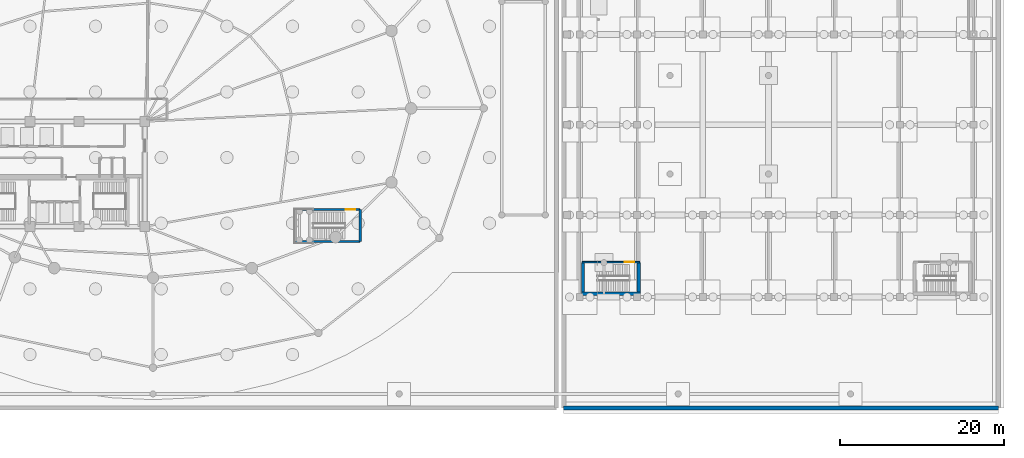
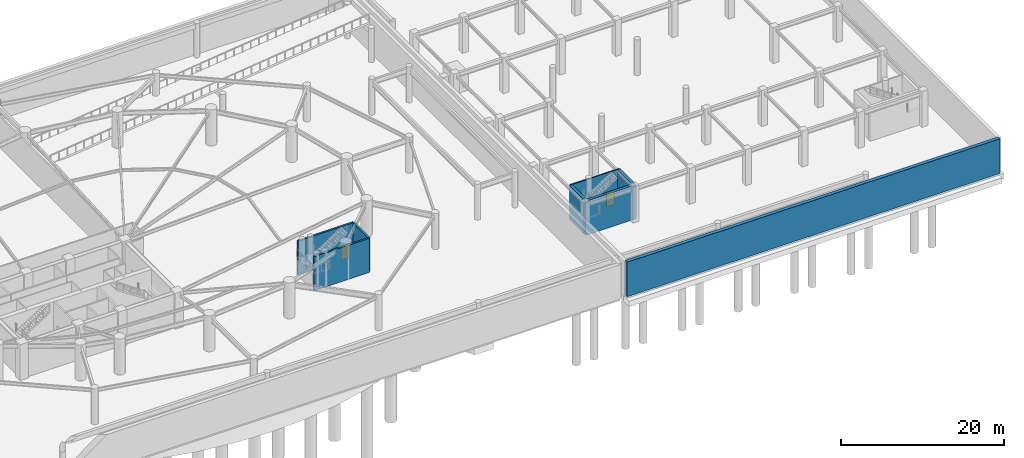
# One storey, part 11 of 22: 8 walls, 2 doors, 2 openings.
"""IFC4 building model written with IfcOpenShell, lengths in metres."""

from ifc_helpers import new_model, si_unit, direction, frame, frame_2d, origin, place, context, subcontext, project, spatial, rectangle, extrude, material, layer, layer_set, type_object, element, fill, save


model = new_model("IFC4")

# Units and contexts
model_context = context("Model", 3, precision=1e-05, world=origin(), true_north=direction((0.0, 1.0)))
body_context = subcontext(model_context, "Body", "Model", "MODEL_VIEW")
ifc_project = project(units=[si_unit("LENGTHUNIT", "METRE"), si_unit("AREAUNIT", "SQUARE_METRE"), si_unit("VOLUMEUNIT", "CUBIC_METRE"), si_unit("PLANEANGLEUNIT", "RADIAN"), si_unit("MASSUNIT", "GRAM", prefix="KILO")], contexts=[model_context])

# Site, building, storey
site_placement = place(None, origin())
site = spatial("IfcSite", under=ifc_project, at=site_placement, CompositionType="ELEMENT")
building_placement = place(site_placement, origin())
building = spatial("IfcBuilding", under=site, at=building_placement, Name="Kazevale Care Tower and Concert Hall", CompositionType="ELEMENT")
storey_placement = place(building_placement, frame((0.0, 0.0, -5.39990234375)))
storey = spatial("IfcBuildingStorey", under=building, at=storey_placement, Name="B1", CompositionType="ELEMENT", Elevation=-5.39990234375)

# Walls
ifc_material_1 = material(Name="Concrete C50", Category="concrete")
ifc_layer_1 = layer(ifc_material_1, 0.5)
ifc_layer_set_1 = layer_set([ifc_layer_1], Name="Concrete C50")
wall_type_1 = type_object("IfcWallType", Name="Basement Perimeter Retaining Wall 500 C50", PredefinedType="SHEAR", material=ifc_layer_set_1)
wall_1_placement = place(storey_placement, frame((95.050048828125, 1.5, 0.0), z_axis=(0.0, 0.0, 1.0), x_axis=(1.0, 0.0, 0.0)))
element("IfcWall", 1, at=wall_1_placement, inside=storey, type_object=wall_type_1, Name="wall:B1:ret:5", PredefinedType="SHEAR", context=body_context, shape_type="SweptSolid", body=[
    extrude(rectangle(XDim=52.949951171875, YDim=0.5, at=frame_2d((26.47509765625, 0.0))), origin(), (0.0, 0.0, 1.0), 5.199951171875),
])
ifc_layer_2 = layer(ifc_material_1, 0.39990234375)
ifc_layer_set_2 = layer_set([ifc_layer_2], Name="Concrete C50")
wall_type_2 = type_object("IfcWallType", Name="Concert Hall Shear Core Wall 400 C50", PredefinedType="SHEAR", material=ifc_layer_set_2)
wall_2_placement = place(storey_placement, frame((97.199951171875, 15.39990234375, 0.0), z_axis=(0.0, 0.0, 1.0), x_axis=(1.0, 0.0, 0.0)))
element("IfcWall", 2, at=wall_2_placement, inside=storey, type_object=wall_type_2, Name="wall:B1:ST4:S", PredefinedType="SHEAR", context=body_context, shape_type="SweptSolid", body=[
    extrude(rectangle(XDim=7.199951171875, YDim=0.39990234375, at=frame_2d((3.60009765625, 0.0))), origin(), (0.0, 0.0, 1.0), 5.119873046875),
])
for number, where, z_axis, x_axis, name in (
    (3, (97.39990234375, 15.60009765625, 0.0), (0.0, 0.0, 1.0), (0.0, 1.0, 0.0), "wall:B1:ST4:W"),
    (4, (104.199951171875, 15.60009765625, 0.0), (0.0, 0.0, 1.0), (0.0, 1.0, 0.0), "wall:B1:ST4:E"),
):
    element("IfcWall", number, at=place(storey_placement, frame(where, z_axis=z_axis, x_axis=x_axis)), inside=storey, type_object=wall_type_2, Name=name, PredefinedType="SHEAR", context=body_context, shape_type="SweptSolid", body=[
        extrude(rectangle(XDim=3.599853515625, YDim=0.39990234375, at=frame_2d((1.7998046875, 0.0))), origin(), (0.0, 0.0, 1.0), 5.119873046875),
    ])

# Wall, opening, door
ifc_material_2 = material(Name="Concrete C40 and Acoustic Gypsum", Category="concrete")
ifc_layer_3 = layer(ifc_material_2, 0.179931640625)
ifc_layer_set_3 = layer_set([ifc_layer_3], Name="Concrete C40 and Acoustic Gypsum")
wall_type_3 = type_object("IfcWallType", Name="Fire-Rated Corridor & Party Wall 180", PredefinedType="PARTITIONING", material=ifc_layer_set_3)
wall_3_placement = place(storey_placement, frame((97.300048828125, 19.25, 0.0), z_axis=(0.0, 0.0, 1.0), x_axis=(1.0, 0.0, 0.0)))
wall_3 = element("IfcWall", 5, at=wall_3_placement, inside=storey, type_object=wall_type_3, Name="wall:B1:b1_st4_n", PredefinedType="PARTITIONING", context=body_context, shape_type="SweptSolid", body=[
    extrude(rectangle(XDim=7.0, YDim=0.179931640625, at=frame_2d((3.5, 0.0))), origin(), (0.0, 0.0, 1.0), 5.119873046875),
])
opening_1_placement = place(wall_3_placement, frame((5.1650390625, 0.0, 0.0)))
opening_1 = element("IfcOpeningElement", 6, at=opening_1_placement, cuts=wall_3, Name="Opening FD-90", PredefinedType="OPENING", context=body_context, shape_type="SweptSolid", body=[
    extrude(rectangle(XDim=1.14990234375, YDim=2.10009765625, at=frame_2d((0.574951171875, 1.050048828125))), frame((0.0, 0.099853515625, 0.0), z_axis=(0.0, -1.0, 0.0), x_axis=(1.0, 0.0, 0.0)), (0.0, 0.0, 1.0), 0.199951171875),
])
ifc_material_3 = material(Name="Steel ASTM A572 Gr 50", Category="steel")
door_type = type_object("IfcDoorType", Name="Pressurized Stair & Lobby Fire Door 1150x2100", OperationType="NOTDEFINED", PredefinedType="DOOR", material=ifc_material_3)
door_1_placement = place(opening_1_placement, origin())
door_1 = element("IfcDoor", 7, at=door_1_placement, inside=storey, type_object=door_type, Name="door:B1:b1_st4d", OperationType="SINGLE_SWING_LEFT", OverallHeight=2.10009765625, OverallWidth=1.14990234375, PredefinedType="DOOR", context=body_context, shape_type="SweptSolid", body=[
    extrude(rectangle(XDim=1.14990234375, YDim=2.10009765625, at=frame_2d((0.574951171875, 1.050048828125))), frame((0.0, 0.02490234375, 0.0), z_axis=(0.0, -1.0, 0.0), x_axis=(1.0, 0.0, 0.0)), (0.0, 0.0, 1.0), 0.050048828125),
])
fill(opening_1, door_1)

ifc_material_4 = material(Name="Concrete C40", Category="concrete")
ifc_layer_4 = layer(ifc_material_4, 0.25)
ifc_layer_set_4 = layer_set([ifc_layer_4], Name="Concrete C40")
wall_type_4 = type_object("IfcWallType", Name="Pressurized Stair Shaft Wall 250", PredefinedType="SOLIDWALL", material=ifc_layer_set_4)
wall_4_placement = place(storey_placement, frame((62.35009765625, 25.64990234375, 0.0), z_axis=(0.0, 0.0, 1.0), x_axis=(1.0, 0.0, 0.0)))
wall_4 = element("IfcWall", 8, at=wall_4_placement, inside=storey, type_object=wall_type_4, Name="wall:B1:b1_st3_n", PredefinedType="SOLIDWALL", context=body_context, shape_type="SweptSolid", body=[
    extrude(rectangle(XDim=7.89990234375, YDim=0.25, at=frame_2d((3.949951171875, 0.0))), origin(), (0.0, 0.0, 1.0), 5.119873046875),
])
opening_2_placement = place(wall_4_placement, frame((6.139892578125, 0.0, 0.0)))
opening_2 = element("IfcOpeningElement", 9, at=opening_2_placement, cuts=wall_4, Name="Opening FD-90", PredefinedType="OPENING", context=body_context, shape_type="SweptSolid", body=[
    extrude(rectangle(XDim=1.14990234375, YDim=2.10009765625, at=frame_2d((0.574951171875, 1.050048828125))), frame((0.0, 0.135009765625, 0.0), z_axis=(0.0, -1.0, 0.0), x_axis=(1.0, 0.0, 0.0)), (0.0, 0.0, 1.0), 0.27001953125),
])
door_2_placement = place(opening_2_placement, origin())
door_2 = element("IfcDoor", 10, at=door_2_placement, inside=storey, type_object=door_type, Name="door:B1:b1_st3d", OperationType="SINGLE_SWING_LEFT", OverallHeight=2.10009765625, OverallWidth=1.14990234375, PredefinedType="DOOR", context=body_context, shape_type="SweptSolid", body=[
    extrude(rectangle(XDim=1.14990234375, YDim=2.10009765625, at=frame_2d((0.574951171875, 1.050048828125))), frame((0.0, 0.02490234375, 0.0), z_axis=(0.0, -1.0, 0.0), x_axis=(1.0, 0.0, 0.0)), (0.0, 0.0, 1.0), 0.050048828125),
])
fill(opening_2, door_2)

# Walls
wall_5_placement = place(storey_placement, frame((62.35009765625, 21.75, 0.0), z_axis=(0.0, 0.0, 1.0), x_axis=(1.0, 0.0, 0.0)))
element("IfcWall", 11, at=wall_5_placement, inside=storey, type_object=wall_type_4, Name="wall:B1:b1_st3_s", PredefinedType="SOLIDWALL", context=body_context, shape_type="SweptSolid", body=[
    extrude(rectangle(XDim=7.89990234375, YDim=0.25, at=frame_2d((3.949951171875, 0.0))), origin(), (0.0, 0.0, 1.0), 5.119873046875),
])
wall_6_placement = place(storey_placement, frame((70.25, 21.75, 0.0), z_axis=(0.0, 0.0, 1.0), x_axis=(0.0, 1.0, 0.0)))
element("IfcWall", 12, at=wall_6_placement, inside=storey, type_object=wall_type_4, Name="wall:B1:b1_st3_e", PredefinedType="SOLIDWALL", context=body_context, shape_type="SweptSolid", body=[
    extrude(rectangle(XDim=3.89990234375, YDim=0.25, at=frame_2d((1.949951171875, 0.0))), origin(), (0.0, 0.0, 1.0), 5.119873046875),
])

save(model, "model.ifc")
